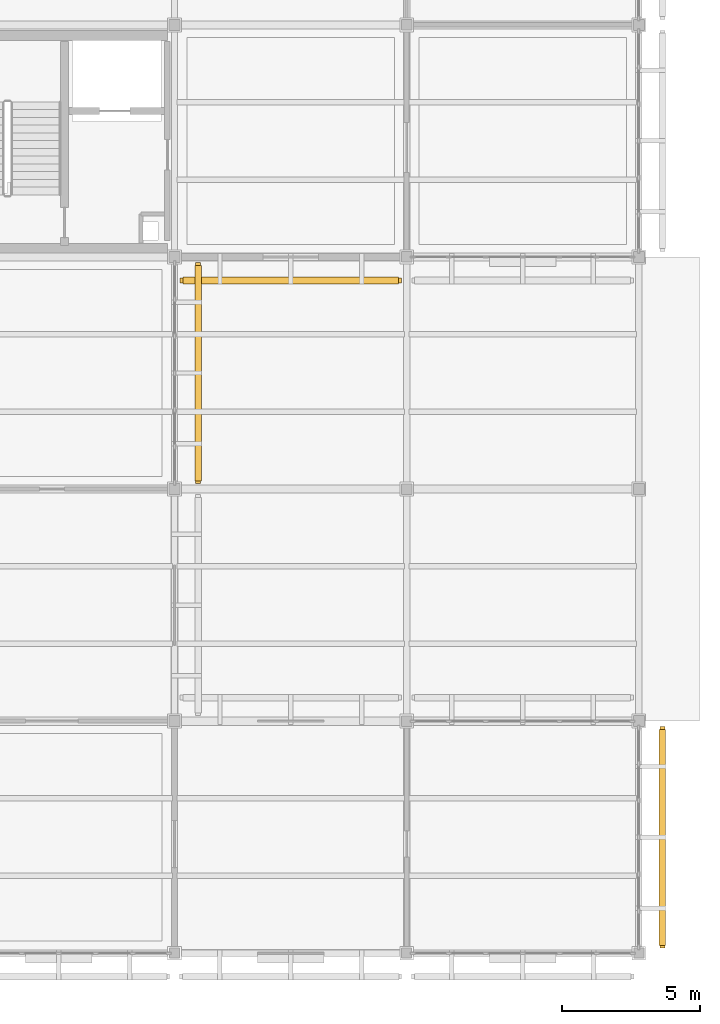
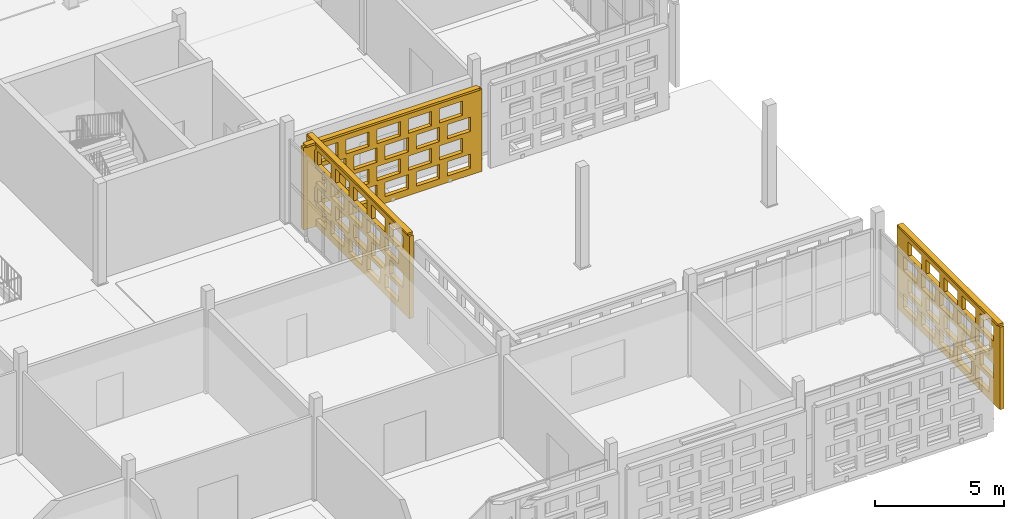
# One storey, part 187 of 203: 3 coverings, 3 shading devices, 60 openings.
"""IFC4 building model written with IfcOpenShell, lengths in metres."""

import ifcopenshell
import ifcopenshell.guid

model = None  # the IFC model being written
_history = None  # IfcOwnerHistory: only IFC2X3 demands one
_inside = {}  # id of a spatial element -> (the spatial element, [elements in it])
_under = {}  # id of a project, library or spatial element -> (it, [spatial elements below it])
_declared = {}  # id of a project -> (the project, [libraries it declares])
_typed = {}  # id of a type object -> (the type object, [elements of that type])
_made_of = {}  # id of a material, layer set ... -> (it, [elements and type objects made of it])


def new_model(schema):
    """Start an empty IFC model of exactly this schema.

    Asked for "IFC4X3", IfcOpenShell would pick the latest addendum, in which some entities
    have other attributes; the version numbers below select the first issue.
    IFC2X3 requires an IfcOwnerHistory on every rooted entity: one is made here for all.
    """
    global model, _history
    if schema == "IFC4X3":
        model = ifcopenshell.file(schema_version=(4, 3, 0, 0))
    else:
        model = ifcopenshell.file(schema=schema)
    _inside.clear()
    _under.clear()
    _declared.clear()
    _typed.clear()
    _made_of.clear()
    _history = None
    if model.schema == "IFC2X3":
        org = make("IfcOrganization", Name="unknown")
        user = make(
            "IfcPersonAndOrganization",
            ThePerson=make("IfcPerson", FamilyName="unknown"),
            TheOrganization=org,
        )
        app = make(
            "IfcApplication",
            ApplicationDeveloper=org,
            Version="unknown",
            ApplicationFullName="unknown",
            ApplicationIdentifier="unknown",
        )
        _history = make(
            "IfcOwnerHistory",
            OwningUser=user,
            OwningApplication=app,
            ChangeAction="ADDED",
            CreationDate=0,
        )
    return model


def make(cls, **values):
    """One entity of the class cls with the attributes given. An attribute that is None is left unset."""
    return model.create_entity(
        cls, **{name: value for name, value in values.items() if value is not None}
    )


def rooted(cls, **values):
    """An entity with a GlobalId (a new one), such as an element, a storey or a relation."""
    return make(cls, GlobalId=ifcopenshell.guid.new(), OwnerHistory=_history, **values)


def si_unit(unit_type, name, prefix=None):
    """IfcSIUnit, for example si_unit("LENGTHUNIT", "METRE", prefix="MILLI")."""
    return make("IfcSIUnit", UnitType=unit_type, Prefix=prefix, Name=name)


def assignment(units):
    """IfcUnitAssignment: the units of a project."""
    return None if units is None else make("IfcUnitAssignment", Units=units)


def point(xyz):
    """IfcCartesianPoint."""
    return None if xyz is None else make("IfcCartesianPoint", Coordinates=xyz)


def direction(xyz):
    """IfcDirection."""
    return None if xyz is None else make("IfcDirection", DirectionRatios=xyz)


def frame(location, z_axis=None, x_axis=None):
    """IfcAxis2Placement3D, a coordinate frame: its origin and axes. An axis left out is left unset."""
    return make(
        "IfcAxis2Placement3D",
        Location=point(location),
        Axis=direction(z_axis),
        RefDirection=direction(x_axis),
    )


def frame_2d(location, x_axis=None):
    """IfcAxis2Placement2D, a coordinate frame in the plane: its origin and x axis."""
    return make(
        "IfcAxis2Placement2D", Location=point(location), RefDirection=direction(x_axis)
    )


def origin():
    """The frame at (0, 0, 0) with its axes left unset."""
    return frame((0.0, 0.0, 0.0))


def origin_2d():
    """The frame at (0, 0) in the plane with its x axis left unset."""
    return frame_2d((0.0, 0.0))


def place(relative_to, where):
    """IfcLocalPlacement: puts the frame where relative to a parent placement (None: the world)."""
    return make(
        "IfcLocalPlacement", PlacementRelTo=relative_to, RelativePlacement=where
    )


def context(
    kind, dimensions, precision=None, world=None, true_north=None, identifier=None
):
    """IfcGeometricRepresentationContext, for example the 3D "Model" context."""
    return make(
        "IfcGeometricRepresentationContext",
        ContextIdentifier=identifier,
        ContextType=kind,
        CoordinateSpaceDimension=dimensions,
        Precision=precision,
        WorldCoordinateSystem=world,
        TrueNorth=true_north,
    )


def subcontext(parent, identifier, kind, view, scale=None):
    """IfcGeometricRepresentationSubContext, for example "Body" below "Model"."""
    return make(
        "IfcGeometricRepresentationSubContext",
        ContextIdentifier=identifier,
        ContextType=kind,
        ParentContext=parent,
        TargetScale=scale,
        TargetView=view,
    )


def project(units=None, contexts=None):
    """IfcProject with its units and contexts."""
    return rooted(
        "IfcProject",
        Name="project",
        RepresentationContexts=contexts,
        UnitsInContext=assignment(units),
    )


def spatial(cls, under=None, at=None, **own):
    """A site, building, storey or space (cls), placed at a placement, below another one or the project."""
    s = rooted(cls, ObjectPlacement=at, **own)
    if under is not None:
        _under.setdefault(under.id(), (under, []))[1].append(s)
    return s


def profile(cls, at=None, kind="AREA", **sizes):
    """A parametric profile (cls). Its sizes go by their IFC names, for example OverallWidth=200.0."""
    return make(cls, ProfileType=kind, Position=at, **sizes)


def rectangle(**sizes):
    """IfcRectangleProfileDef."""
    return profile("IfcRectangleProfileDef", **sizes)


def extrude(swept, where, along, depth):
    """IfcExtrudedAreaSolid: the profile swept, set in the frame where, extruded along a direction by depth."""
    return make(
        "IfcExtrudedAreaSolid",
        SweptArea=swept,
        Position=where,
        ExtrudedDirection=direction(along),
        Depth=depth,
    )


def shape(context_of_items, identifier, shape_type, items):
    """IfcShapeRepresentation: the items that make up one representation, for example the "Body"."""
    return make(
        "IfcShapeRepresentation",
        ContextOfItems=context_of_items,
        RepresentationIdentifier=identifier,
        RepresentationType=shape_type,
        Items=items,
    )


def material(Name=None, Category=None):
    """IfcMaterial."""
    return make("IfcMaterial", Name=Name, Category=Category)


def layer(
    of_material, thickness, ventilated=None, Name=None, Category=None, Priority=None
):
    """IfcMaterialLayer: one layer of a wall or slab, of a material (None: an air gap)."""
    return make(
        "IfcMaterialLayer",
        Material=of_material,
        LayerThickness=thickness,
        IsVentilated=ventilated,
        Name=Name,
        Category=Category,
        Priority=Priority,
    )


def layer_set(layers, Name=None):
    """IfcMaterialLayerSet."""
    return make("IfcMaterialLayerSet", MaterialLayers=layers, LayerSetName=Name)


def made_of(thing, what):
    """Note that an element or type object is made of a material, layer set ...; save() writes the relation."""
    if what is not None:
        _made_of.setdefault(what.id(), (what, []))[1].append(thing)
    return thing


def type_object(cls, material=None, **own):
    """A type object (cls), such as IfcWallType, which elements share."""
    return made_of(rooted(cls, **own), material)


def element(
    cls,
    number,
    at=None,
    inside=None,
    cuts=None,
    type_object=None,
    material=None,
    context=None,
    identifier="Body",
    shape_type=None,
    held_by="IfcProductDefinitionShape",
    body=None,
    shapes=None,
    **own,
):
    """One element of the class cls, such as IfcWall. Its Tag is "e" and its number.

    at: its placement. inside: the storey or other place that contains it. cuts: it is an
    opening in that element (IfcRelVoidsElement). A single representation is given by context,
    identifier, shape_type and body (its items); several are given by shapes. held_by: the class
    of the entity that holds the representations. save() writes the other relations.
    """
    e = rooted(cls, Tag="e%d" % number, ObjectPlacement=at, **own)
    if body is not None:
        shapes = [shape(context, identifier, shape_type, body)]
    if shapes is not None:
        e.Representation = make(held_by, Representations=shapes)
    if inside is not None:
        _inside.setdefault(inside.id(), (inside, []))[1].append(e)
    if cuts is not None:
        rooted(
            "IfcRelVoidsElement", RelatingBuildingElement=cuts, RelatedOpeningElement=e
        )
    if type_object is not None:
        _typed.setdefault(type_object.id(), (type_object, []))[1].append(e)
    return made_of(e, material)


def aggregate(whole, parts):
    """IfcRelAggregates: a whole, such as a stair, and the parts it consists of."""
    return rooted("IfcRelAggregates", RelatingObject=whole, RelatedObjects=parts)


def save(model, path):
    """Write the relations noted so far, then the file.

    IfcRelAggregates (storeys below a building ...), IfcRelContainedInSpatialStructure (elements
    in a storey), IfcRelDefinesByType, IfcRelAssociatesMaterial and IfcRelDeclares: one each for
    every whole, place, type object, material and project.
    """
    for whole, parts in _under.values():
        aggregate(whole, parts)
    for where, things in _inside.values():
        rooted(
            "IfcRelContainedInSpatialStructure",
            RelatedElements=things,
            RelatingStructure=where,
        )
    for kind, things in _typed.values():
        rooted("IfcRelDefinesByType", RelatedObjects=things, RelatingType=kind)
    for what, things in _made_of.values():
        rooted("IfcRelAssociatesMaterial", RelatedObjects=things, RelatingMaterial=what)
    for by, libraries in _declared.values():
        rooted("IfcRelDeclares", RelatingContext=by, RelatedDefinitions=libraries)
    model.write(path)


model = new_model("IFC4")

# Units and contexts
model_context = context("Model", 3, precision=1e-05, world=origin(), true_north=direction((0.0, 1.0)))
body_context = subcontext(model_context, "Body", "Model", "MODEL_VIEW")
ifc_project = project(units=[si_unit("LENGTHUNIT", "METRE"), si_unit("AREAUNIT", "SQUARE_METRE"), si_unit("VOLUMEUNIT", "CUBIC_METRE"), si_unit("PLANEANGLEUNIT", "RADIAN"), si_unit("MASSUNIT", "GRAM", prefix="KILO")], contexts=[model_context])

# Site, building, storey
site_placement = place(None, origin())
site = spatial("IfcSite", under=ifc_project, at=site_placement, CompositionType="ELEMENT")
building_placement = place(site_placement, origin())
building = spatial("IfcBuilding", under=site, at=building_placement, Name="Varnapada Polytechnic", CompositionType="ELEMENT")
storey_placement = place(building_placement, frame((0.0, 0.0, 4.800048828125)))
storey = spatial("IfcBuildingStorey", under=building, at=storey_placement, Name="L01", CompositionType="ELEMENT", Elevation=4.800048828125)

# Covering, openings
ifc_material = material(Name="Earth-toned architectural terracotta screen block", Category="masonry")
ifc_layer_1 = layer(ifc_material, 0.1201171875)
ifc_layer_set_1 = layer_set([ifc_layer_1], Name="Earth-toned architectural terracotta screen block")
covering_type = type_object("IfcCoveringType", Name="Terracotta Screen Cladding CLD-01", PredefinedType="CLADDING", material=ifc_layer_set_1)
covering_1_placement = place(storey_placement, frame((160.449951171875, 25.0, 0.0), z_axis=(0.0, 0.0, 1.0), x_axis=(0.0, -1.0, 0.0)))
covering_1 = element("IfcCovering", 1, at=covering_1_placement, inside=storey, type_object=covering_type, Name="L01 perforated terracotta block screen (126)", PredefinedType="CLADDING", context=body_context, shape_type="SweptSolid", body=[
    extrude(rectangle(XDim=8.0, YDim=0.179931640625, at=frame_2d((4.0, 0.0))), origin(), (0.0, 0.0, 1.0), 3.919921875),
])
opening_1_placement = place(covering_1_placement, frame((0.5, 0.0, 0.313720703125)))
element("IfcOpeningElement", 2, at=opening_1_placement, cuts=covering_1, Name="Screen perforation TBS-L01-125.1", PredefinedType="OPENING", context=body_context, shape_type="SweptSolid", body=[
    extrude(rectangle(XDim=1.0400390625, YDim=0.679931640625, at=frame_2d((0.52001953125, 0.33984375))), frame((0.0, 0.099853515625, 0.0), z_axis=(0.0, -1.0, 0.0), x_axis=(1.0, 0.0, 0.0)), (0.0, 0.0, 1.0), 0.199951171875),
])
opening_2_placement = place(covering_1_placement, frame((1.89990234375, 0.0, 0.313720703125)))
element("IfcOpeningElement", 3, at=opening_2_placement, cuts=covering_1, Name="Screen perforation TBS-L01-125.2", PredefinedType="OPENING", context=body_context, shape_type="SweptSolid", body=[
    extrude(rectangle(XDim=1.0400390625, YDim=0.679931640625, at=frame_2d((0.52001953125, 0.33984375))), frame((0.0, 0.099853515625, 0.0), z_axis=(0.0, -1.0, 0.0), x_axis=(1.0, 0.0, 0.0)), (0.0, 0.0, 1.0), 0.199951171875),
])
opening_3_placement = place(covering_1_placement, frame((3.300048828125, 0.0, 0.313720703125)))
element("IfcOpeningElement", 4, at=opening_3_placement, cuts=covering_1, Name="Screen perforation TBS-L01-125.3", PredefinedType="OPENING", context=body_context, shape_type="SweptSolid", body=[
    extrude(rectangle(XDim=1.0400390625, YDim=0.679931640625, at=frame_2d((0.52001953125, 0.33984375))), frame((0.0, 0.099853515625, 0.0), z_axis=(0.0, -1.0, 0.0), x_axis=(1.0, 0.0, 0.0)), (0.0, 0.0, 1.0), 0.199951171875),
])
opening_4_placement = place(covering_1_placement, frame((4.699951171875, 0.0, 0.313720703125)))
element("IfcOpeningElement", 5, at=opening_4_placement, cuts=covering_1, Name="Screen perforation TBS-L01-125.4", PredefinedType="OPENING", context=body_context, shape_type="SweptSolid", body=[
    extrude(rectangle(XDim=1.0400390625, YDim=0.679931640625, at=frame_2d((0.52001953125, 0.33984375))), frame((0.0, 0.099853515625, 0.0), z_axis=(0.0, -1.0, 0.0), x_axis=(1.0, 0.0, 0.0)), (0.0, 0.0, 1.0), 0.199951171875),
])
opening_5_placement = place(covering_1_placement, frame((6.10009765625, 0.0, 0.313720703125)))
element("IfcOpeningElement", 6, at=opening_5_placement, cuts=covering_1, Name="Screen perforation TBS-L01-125.5", PredefinedType="OPENING", context=body_context, shape_type="SweptSolid", body=[
    extrude(rectangle(XDim=1.0400390625, YDim=0.679931640625, at=frame_2d((0.52001953125, 0.33984375))), frame((0.0, 0.099853515625, 0.0), z_axis=(0.0, -1.0, 0.0), x_axis=(1.0, 0.0, 0.0)), (0.0, 0.0, 1.0), 0.199951171875),
])
opening_6_placement = place(covering_1_placement, frame((0.860107421875, 0.0, 1.195556640625)))
element("IfcOpeningElement", 7, at=opening_6_placement, cuts=covering_1, Name="Screen perforation TBS-L01-125.6", PredefinedType="OPENING", context=body_context, shape_type="SweptSolid", body=[
    extrude(rectangle(XDim=1.0400390625, YDim=0.679931640625, at=frame_2d((0.52001953125, 0.33984375))), frame((0.0, 0.099853515625, 0.0), z_axis=(0.0, -1.0, 0.0), x_axis=(1.0, 0.0, 0.0)), (0.0, 0.0, 1.0), 0.199951171875),
])
opening_7_placement = place(covering_1_placement, frame((2.260009765625, 0.0, 1.195556640625)))
element("IfcOpeningElement", 8, at=opening_7_placement, cuts=covering_1, Name="Screen perforation TBS-L01-125.7", PredefinedType="OPENING", context=body_context, shape_type="SweptSolid", body=[
    extrude(rectangle(XDim=1.0400390625, YDim=0.679931640625, at=frame_2d((0.52001953125, 0.33984375))), frame((0.0, 0.099853515625, 0.0), z_axis=(0.0, -1.0, 0.0), x_axis=(1.0, 0.0, 0.0)), (0.0, 0.0, 1.0), 0.199951171875),
])
opening_8_placement = place(covering_1_placement, frame((3.659912109375, 0.0, 1.195556640625)))
element("IfcOpeningElement", 9, at=opening_8_placement, cuts=covering_1, Name="Screen perforation TBS-L01-125.8", PredefinedType="OPENING", context=body_context, shape_type="SweptSolid", body=[
    extrude(rectangle(XDim=1.0400390625, YDim=0.679931640625, at=frame_2d((0.52001953125, 0.33984375))), frame((0.0, 0.099853515625, 0.0), z_axis=(0.0, -1.0, 0.0), x_axis=(1.0, 0.0, 0.0)), (0.0, 0.0, 1.0), 0.199951171875),
])
opening_9_placement = place(covering_1_placement, frame((5.06005859375, 0.0, 1.195556640625)))
element("IfcOpeningElement", 10, at=opening_9_placement, cuts=covering_1, Name="Screen perforation TBS-L01-125.9", PredefinedType="OPENING", context=body_context, shape_type="SweptSolid", body=[
    extrude(rectangle(XDim=1.0400390625, YDim=0.679931640625, at=frame_2d((0.52001953125, 0.33984375))), frame((0.0, 0.099853515625, 0.0), z_axis=(0.0, -1.0, 0.0), x_axis=(1.0, 0.0, 0.0)), (0.0, 0.0, 1.0), 0.199951171875),
])
opening_10_placement = place(covering_1_placement, frame((6.4599609375, 0.0, 1.195556640625)))
element("IfcOpeningElement", 11, at=opening_10_placement, cuts=covering_1, Name="Screen perforation TBS-L01-125.10", PredefinedType="OPENING", context=body_context, shape_type="SweptSolid", body=[
    extrude(rectangle(XDim=1.0400390625, YDim=0.679931640625, at=frame_2d((0.52001953125, 0.33984375))), frame((0.0, 0.099853515625, 0.0), z_axis=(0.0, -1.0, 0.0), x_axis=(1.0, 0.0, 0.0)), (0.0, 0.0, 1.0), 0.199951171875),
])
opening_11_placement = place(covering_1_placement, frame((0.5, 0.0, 2.07763671875)))
element("IfcOpeningElement", 12, at=opening_11_placement, cuts=covering_1, Name="Screen perforation TBS-L01-125.11", PredefinedType="OPENING", context=body_context, shape_type="SweptSolid", body=[
    extrude(rectangle(XDim=1.0400390625, YDim=0.679931640625, at=frame_2d((0.52001953125, 0.33984375))), frame((0.0, 0.099853515625, 0.0), z_axis=(0.0, -1.0, 0.0), x_axis=(1.0, 0.0, 0.0)), (0.0, 0.0, 1.0), 0.199951171875),
])
opening_12_placement = place(covering_1_placement, frame((1.89990234375, 0.0, 2.07763671875)))
element("IfcOpeningElement", 13, at=opening_12_placement, cuts=covering_1, Name="Screen perforation TBS-L01-125.12", PredefinedType="OPENING", context=body_context, shape_type="SweptSolid", body=[
    extrude(rectangle(XDim=1.0400390625, YDim=0.679931640625, at=frame_2d((0.52001953125, 0.33984375))), frame((0.0, 0.099853515625, 0.0), z_axis=(0.0, -1.0, 0.0), x_axis=(1.0, 0.0, 0.0)), (0.0, 0.0, 1.0), 0.199951171875),
])
opening_13_placement = place(covering_1_placement, frame((3.300048828125, 0.0, 2.07763671875)))
element("IfcOpeningElement", 14, at=opening_13_placement, cuts=covering_1, Name="Screen perforation TBS-L01-125.13", PredefinedType="OPENING", context=body_context, shape_type="SweptSolid", body=[
    extrude(rectangle(XDim=1.0400390625, YDim=0.679931640625, at=frame_2d((0.52001953125, 0.33984375))), frame((0.0, 0.099853515625, 0.0), z_axis=(0.0, -1.0, 0.0), x_axis=(1.0, 0.0, 0.0)), (0.0, 0.0, 1.0), 0.199951171875),
])
opening_14_placement = place(covering_1_placement, frame((4.699951171875, 0.0, 2.07763671875)))
element("IfcOpeningElement", 15, at=opening_14_placement, cuts=covering_1, Name="Screen perforation TBS-L01-125.14", PredefinedType="OPENING", context=body_context, shape_type="SweptSolid", body=[
    extrude(rectangle(XDim=1.0400390625, YDim=0.679931640625, at=frame_2d((0.52001953125, 0.33984375))), frame((0.0, 0.099853515625, 0.0), z_axis=(0.0, -1.0, 0.0), x_axis=(1.0, 0.0, 0.0)), (0.0, 0.0, 1.0), 0.199951171875),
])
opening_15_placement = place(covering_1_placement, frame((6.10009765625, 0.0, 2.07763671875)))
element("IfcOpeningElement", 16, at=opening_15_placement, cuts=covering_1, Name="Screen perforation TBS-L01-125.15", PredefinedType="OPENING", context=body_context, shape_type="SweptSolid", body=[
    extrude(rectangle(XDim=1.0400390625, YDim=0.679931640625, at=frame_2d((0.52001953125, 0.33984375))), frame((0.0, 0.099853515625, 0.0), z_axis=(0.0, -1.0, 0.0), x_axis=(1.0, 0.0, 0.0)), (0.0, 0.0, 1.0), 0.199951171875),
])
opening_16_placement = place(covering_1_placement, frame((0.860107421875, 0.0, 2.959716796875)))
element("IfcOpeningElement", 17, at=opening_16_placement, cuts=covering_1, Name="Screen perforation TBS-L01-125.16", PredefinedType="OPENING", context=body_context, shape_type="SweptSolid", body=[
    extrude(rectangle(XDim=1.0400390625, YDim=0.679931640625, at=frame_2d((0.52001953125, 0.33984375))), frame((0.0, 0.099853515625, 0.0), z_axis=(0.0, -1.0, 0.0), x_axis=(1.0, 0.0, 0.0)), (0.0, 0.0, 1.0), 0.199951171875),
])
opening_17_placement = place(covering_1_placement, frame((2.260009765625, 0.0, 2.959716796875)))
element("IfcOpeningElement", 18, at=opening_17_placement, cuts=covering_1, Name="Screen perforation TBS-L01-125.17", PredefinedType="OPENING", context=body_context, shape_type="SweptSolid", body=[
    extrude(rectangle(XDim=1.0400390625, YDim=0.679931640625, at=frame_2d((0.52001953125, 0.33984375))), frame((0.0, 0.099853515625, 0.0), z_axis=(0.0, -1.0, 0.0), x_axis=(1.0, 0.0, 0.0)), (0.0, 0.0, 1.0), 0.199951171875),
])
opening_18_placement = place(covering_1_placement, frame((3.659912109375, 0.0, 2.959716796875)))
element("IfcOpeningElement", 19, at=opening_18_placement, cuts=covering_1, Name="Screen perforation TBS-L01-125.18", PredefinedType="OPENING", context=body_context, shape_type="SweptSolid", body=[
    extrude(rectangle(XDim=1.0400390625, YDim=0.679931640625, at=frame_2d((0.52001953125, 0.33984375))), frame((0.0, 0.099853515625, 0.0), z_axis=(0.0, -1.0, 0.0), x_axis=(1.0, 0.0, 0.0)), (0.0, 0.0, 1.0), 0.199951171875),
])
opening_19_placement = place(covering_1_placement, frame((5.06005859375, 0.0, 2.959716796875)))
element("IfcOpeningElement", 20, at=opening_19_placement, cuts=covering_1, Name="Screen perforation TBS-L01-125.19", PredefinedType="OPENING", context=body_context, shape_type="SweptSolid", body=[
    extrude(rectangle(XDim=1.0400390625, YDim=0.679931640625, at=frame_2d((0.52001953125, 0.33984375))), frame((0.0, 0.099853515625, 0.0), z_axis=(0.0, -1.0, 0.0), x_axis=(1.0, 0.0, 0.0)), (0.0, 0.0, 1.0), 0.199951171875),
])
opening_20_placement = place(covering_1_placement, frame((6.4599609375, 0.0, 2.959716796875)))
element("IfcOpeningElement", 21, at=opening_20_placement, cuts=covering_1, Name="Screen perforation TBS-L01-125.20", PredefinedType="OPENING", context=body_context, shape_type="SweptSolid", body=[
    extrude(rectangle(XDim=1.0400390625, YDim=0.679931640625, at=frame_2d((0.52001953125, 0.33984375))), frame((0.0, 0.099853515625, 0.0), z_axis=(0.0, -1.0, 0.0), x_axis=(1.0, 0.0, 0.0)), (0.0, 0.0, 1.0), 0.199951171875),
])

covering_2_placement = place(storey_placement, frame((167.81005859375, 24.35009765625, 0.0), z_axis=(0.0, 0.0, 1.0), x_axis=(-1.0, 0.0, 0.0)))
covering_2 = element("IfcCovering", 22, at=covering_2_placement, inside=storey, type_object=covering_type, Name="L01 perforated terracotta block screen (132)", PredefinedType="CLADDING", context=body_context, shape_type="SweptSolid", body=[
    extrude(rectangle(XDim=8.010009765625, YDim=0.179931640625, at=frame_2d((4.0048828125, 0.0))), origin(), (0.0, 0.0, 1.0), 3.909912109375),
])
opening_21_placement = place(covering_2_placement, frame((0.5048828125, 0.0, 0.312744140625)))
element("IfcOpeningElement", 23, at=opening_21_placement, cuts=covering_2, Name="Screen perforation TBS-L01-131.1", PredefinedType="OPENING", context=body_context, shape_type="SweptSolid", body=[
    extrude(rectangle(XDim=1.0400390625, YDim=0.679931640625, at=frame_2d((0.52001953125, 0.33984375))), frame((0.0, 0.099853515625, 0.0), z_axis=(0.0, -1.0, 0.0), x_axis=(1.0, 0.0, 0.0)), (0.0, 0.0, 1.0), 0.199951171875),
])
opening_22_placement = place(covering_2_placement, frame((1.905029296875, 0.0, 0.312744140625)))
element("IfcOpeningElement", 24, at=opening_22_placement, cuts=covering_2, Name="Screen perforation TBS-L01-131.2", PredefinedType="OPENING", context=body_context, shape_type="SweptSolid", body=[
    extrude(rectangle(XDim=1.0400390625, YDim=0.679931640625, at=frame_2d((0.52001953125, 0.33984375))), frame((0.0, 0.099853515625, 0.0), z_axis=(0.0, -1.0, 0.0), x_axis=(1.0, 0.0, 0.0)), (0.0, 0.0, 1.0), 0.199951171875),
])
opening_23_placement = place(covering_2_placement, frame((3.304931640625, 0.0, 0.312744140625)))
element("IfcOpeningElement", 25, at=opening_23_placement, cuts=covering_2, Name="Screen perforation TBS-L01-131.3", PredefinedType="OPENING", context=body_context, shape_type="SweptSolid", body=[
    extrude(rectangle(XDim=1.0400390625, YDim=0.679931640625, at=frame_2d((0.52001953125, 0.33984375))), frame((0.0, 0.099853515625, 0.0), z_axis=(0.0, -1.0, 0.0), x_axis=(1.0, 0.0, 0.0)), (0.0, 0.0, 1.0), 0.199951171875),
])
opening_24_placement = place(covering_2_placement, frame((4.705078125, 0.0, 0.312744140625)))
element("IfcOpeningElement", 26, at=opening_24_placement, cuts=covering_2, Name="Screen perforation TBS-L01-131.4", PredefinedType="OPENING", context=body_context, shape_type="SweptSolid", body=[
    extrude(rectangle(XDim=1.0400390625, YDim=0.679931640625, at=frame_2d((0.52001953125, 0.33984375))), frame((0.0, 0.099853515625, 0.0), z_axis=(0.0, -1.0, 0.0), x_axis=(1.0, 0.0, 0.0)), (0.0, 0.0, 1.0), 0.199951171875),
])
opening_25_placement = place(covering_2_placement, frame((6.10498046875, 0.0, 0.312744140625)))
element("IfcOpeningElement", 27, at=opening_25_placement, cuts=covering_2, Name="Screen perforation TBS-L01-131.5", PredefinedType="OPENING", context=body_context, shape_type="SweptSolid", body=[
    extrude(rectangle(XDim=1.0400390625, YDim=0.679931640625, at=frame_2d((0.52001953125, 0.33984375))), frame((0.0, 0.099853515625, 0.0), z_axis=(0.0, -1.0, 0.0), x_axis=(1.0, 0.0, 0.0)), (0.0, 0.0, 1.0), 0.199951171875),
])
opening_26_placement = place(covering_2_placement, frame((0.864990234375, 0.0, 1.1923828125)))
element("IfcOpeningElement", 28, at=opening_26_placement, cuts=covering_2, Name="Screen perforation TBS-L01-131.6", PredefinedType="OPENING", context=body_context, shape_type="SweptSolid", body=[
    extrude(rectangle(XDim=1.0400390625, YDim=0.679931640625, at=frame_2d((0.52001953125, 0.33984375))), frame((0.0, 0.099853515625, 0.0), z_axis=(0.0, -1.0, 0.0), x_axis=(1.0, 0.0, 0.0)), (0.0, 0.0, 1.0), 0.199951171875),
])
opening_27_placement = place(covering_2_placement, frame((2.264892578125, 0.0, 1.1923828125)))
element("IfcOpeningElement", 29, at=opening_27_placement, cuts=covering_2, Name="Screen perforation TBS-L01-131.7", PredefinedType="OPENING", context=body_context, shape_type="SweptSolid", body=[
    extrude(rectangle(XDim=1.0400390625, YDim=0.679931640625, at=frame_2d((0.52001953125, 0.33984375))), frame((0.0, 0.099853515625, 0.0), z_axis=(0.0, -1.0, 0.0), x_axis=(1.0, 0.0, 0.0)), (0.0, 0.0, 1.0), 0.199951171875),
])
opening_28_placement = place(covering_2_placement, frame((3.6650390625, 0.0, 1.1923828125)))
element("IfcOpeningElement", 30, at=opening_28_placement, cuts=covering_2, Name="Screen perforation TBS-L01-131.8", PredefinedType="OPENING", context=body_context, shape_type="SweptSolid", body=[
    extrude(rectangle(XDim=1.0400390625, YDim=0.679931640625, at=frame_2d((0.52001953125, 0.33984375))), frame((0.0, 0.099853515625, 0.0), z_axis=(0.0, -1.0, 0.0), x_axis=(1.0, 0.0, 0.0)), (0.0, 0.0, 1.0), 0.199951171875),
])
opening_29_placement = place(covering_2_placement, frame((5.06494140625, 0.0, 1.1923828125)))
element("IfcOpeningElement", 31, at=opening_29_placement, cuts=covering_2, Name="Screen perforation TBS-L01-131.9", PredefinedType="OPENING", context=body_context, shape_type="SweptSolid", body=[
    extrude(rectangle(XDim=1.0400390625, YDim=0.679931640625, at=frame_2d((0.52001953125, 0.33984375))), frame((0.0, 0.099853515625, 0.0), z_axis=(0.0, -1.0, 0.0), x_axis=(1.0, 0.0, 0.0)), (0.0, 0.0, 1.0), 0.199951171875),
])
opening_30_placement = place(covering_2_placement, frame((6.465087890625, 0.0, 1.1923828125)))
element("IfcOpeningElement", 32, at=opening_30_placement, cuts=covering_2, Name="Screen perforation TBS-L01-131.10", PredefinedType="OPENING", context=body_context, shape_type="SweptSolid", body=[
    extrude(rectangle(XDim=1.0400390625, YDim=0.679931640625, at=frame_2d((0.52001953125, 0.33984375))), frame((0.0, 0.099853515625, 0.0), z_axis=(0.0, -1.0, 0.0), x_axis=(1.0, 0.0, 0.0)), (0.0, 0.0, 1.0), 0.199951171875),
])
opening_31_placement = place(covering_2_placement, frame((0.5048828125, 0.0, 2.072265625)))
element("IfcOpeningElement", 33, at=opening_31_placement, cuts=covering_2, Name="Screen perforation TBS-L01-131.11", PredefinedType="OPENING", context=body_context, shape_type="SweptSolid", body=[
    extrude(rectangle(XDim=1.0400390625, YDim=0.679931640625, at=frame_2d((0.52001953125, 0.33984375))), frame((0.0, 0.099853515625, 0.0), z_axis=(0.0, -1.0, 0.0), x_axis=(1.0, 0.0, 0.0)), (0.0, 0.0, 1.0), 0.199951171875),
])
opening_32_placement = place(covering_2_placement, frame((1.905029296875, 0.0, 2.072265625)))
element("IfcOpeningElement", 34, at=opening_32_placement, cuts=covering_2, Name="Screen perforation TBS-L01-131.12", PredefinedType="OPENING", context=body_context, shape_type="SweptSolid", body=[
    extrude(rectangle(XDim=1.0400390625, YDim=0.679931640625, at=frame_2d((0.52001953125, 0.33984375))), frame((0.0, 0.099853515625, 0.0), z_axis=(0.0, -1.0, 0.0), x_axis=(1.0, 0.0, 0.0)), (0.0, 0.0, 1.0), 0.199951171875),
])
opening_33_placement = place(covering_2_placement, frame((3.304931640625, 0.0, 2.072265625)))
element("IfcOpeningElement", 35, at=opening_33_placement, cuts=covering_2, Name="Screen perforation TBS-L01-131.13", PredefinedType="OPENING", context=body_context, shape_type="SweptSolid", body=[
    extrude(rectangle(XDim=1.0400390625, YDim=0.679931640625, at=frame_2d((0.52001953125, 0.33984375))), frame((0.0, 0.099853515625, 0.0), z_axis=(0.0, -1.0, 0.0), x_axis=(1.0, 0.0, 0.0)), (0.0, 0.0, 1.0), 0.199951171875),
])
opening_34_placement = place(covering_2_placement, frame((4.705078125, 0.0, 2.072265625)))
element("IfcOpeningElement", 36, at=opening_34_placement, cuts=covering_2, Name="Screen perforation TBS-L01-131.14", PredefinedType="OPENING", context=body_context, shape_type="SweptSolid", body=[
    extrude(rectangle(XDim=1.0400390625, YDim=0.679931640625, at=frame_2d((0.52001953125, 0.33984375))), frame((0.0, 0.099853515625, 0.0), z_axis=(0.0, -1.0, 0.0), x_axis=(1.0, 0.0, 0.0)), (0.0, 0.0, 1.0), 0.199951171875),
])
opening_35_placement = place(covering_2_placement, frame((6.10498046875, 0.0, 2.072265625)))
element("IfcOpeningElement", 37, at=opening_35_placement, cuts=covering_2, Name="Screen perforation TBS-L01-131.15", PredefinedType="OPENING", context=body_context, shape_type="SweptSolid", body=[
    extrude(rectangle(XDim=1.0400390625, YDim=0.679931640625, at=frame_2d((0.52001953125, 0.33984375))), frame((0.0, 0.099853515625, 0.0), z_axis=(0.0, -1.0, 0.0), x_axis=(1.0, 0.0, 0.0)), (0.0, 0.0, 1.0), 0.199951171875),
])
opening_36_placement = place(covering_2_placement, frame((0.864990234375, 0.0, 2.9521484375)))
element("IfcOpeningElement", 38, at=opening_36_placement, cuts=covering_2, Name="Screen perforation TBS-L01-131.16", PredefinedType="OPENING", context=body_context, shape_type="SweptSolid", body=[
    extrude(rectangle(XDim=1.0400390625, YDim=0.679931640625, at=frame_2d((0.52001953125, 0.33984375))), frame((0.0, 0.099853515625, 0.0), z_axis=(0.0, -1.0, 0.0), x_axis=(1.0, 0.0, 0.0)), (0.0, 0.0, 1.0), 0.199951171875),
])
opening_37_placement = place(covering_2_placement, frame((2.264892578125, 0.0, 2.9521484375)))
element("IfcOpeningElement", 39, at=opening_37_placement, cuts=covering_2, Name="Screen perforation TBS-L01-131.17", PredefinedType="OPENING", context=body_context, shape_type="SweptSolid", body=[
    extrude(rectangle(XDim=1.0400390625, YDim=0.679931640625, at=frame_2d((0.52001953125, 0.33984375))), frame((0.0, 0.099853515625, 0.0), z_axis=(0.0, -1.0, 0.0), x_axis=(1.0, 0.0, 0.0)), (0.0, 0.0, 1.0), 0.199951171875),
])
opening_38_placement = place(covering_2_placement, frame((3.6650390625, 0.0, 2.9521484375)))
element("IfcOpeningElement", 40, at=opening_38_placement, cuts=covering_2, Name="Screen perforation TBS-L01-131.18", PredefinedType="OPENING", context=body_context, shape_type="SweptSolid", body=[
    extrude(rectangle(XDim=1.0400390625, YDim=0.679931640625, at=frame_2d((0.52001953125, 0.33984375))), frame((0.0, 0.099853515625, 0.0), z_axis=(0.0, -1.0, 0.0), x_axis=(1.0, 0.0, 0.0)), (0.0, 0.0, 1.0), 0.199951171875),
])
opening_39_placement = place(covering_2_placement, frame((5.06494140625, 0.0, 2.9521484375)))
element("IfcOpeningElement", 41, at=opening_39_placement, cuts=covering_2, Name="Screen perforation TBS-L01-131.19", PredefinedType="OPENING", context=body_context, shape_type="SweptSolid", body=[
    extrude(rectangle(XDim=1.0400390625, YDim=0.679931640625, at=frame_2d((0.52001953125, 0.33984375))), frame((0.0, 0.099853515625, 0.0), z_axis=(0.0, -1.0, 0.0), x_axis=(1.0, 0.0, 0.0)), (0.0, 0.0, 1.0), 0.199951171875),
])
opening_40_placement = place(covering_2_placement, frame((6.465087890625, 0.0, 2.9521484375)))
element("IfcOpeningElement", 42, at=opening_40_placement, cuts=covering_2, Name="Screen perforation TBS-L01-131.20", PredefinedType="OPENING", context=body_context, shape_type="SweptSolid", body=[
    extrude(rectangle(XDim=1.0400390625, YDim=0.679931640625, at=frame_2d((0.52001953125, 0.33984375))), frame((0.0, 0.099853515625, 0.0), z_axis=(0.0, -1.0, 0.0), x_axis=(1.0, 0.0, 0.0)), (0.0, 0.0, 1.0), 0.199951171875),
])

covering_3_placement = place(storey_placement, frame((177.25, 8.199951171875, 0.0), z_axis=(0.0, 0.0, 1.0), x_axis=(0.0, -1.0, 0.0)))
covering_3 = element("IfcCovering", 43, at=covering_3_placement, inside=storey, type_object=covering_type, Name="L01 perforated terracotta block screen (138)", PredefinedType="CLADDING", context=body_context, shape_type="SweptSolid", body=[
    extrude(rectangle(XDim=8.02001953125, YDim=0.179931640625, at=frame_2d((4.010009765625, 0.0))), origin(), (0.0, 0.0, 1.0), 3.919921875),
])
opening_41_placement = place(covering_3_placement, frame((0.510009765625, 0.0, 0.313720703125)))
element("IfcOpeningElement", 44, at=opening_41_placement, cuts=covering_3, Name="Screen perforation TBS-L01-137.1", PredefinedType="OPENING", context=body_context, shape_type="SweptSolid", body=[
    extrude(rectangle(XDim=1.0400390625, YDim=0.679931640625, at=frame_2d((0.52001953125, 0.33984375))), frame((0.0, 0.099853515625, 0.0), z_axis=(0.0, -1.0, 0.0), x_axis=(1.0, 0.0, 0.0)), (0.0, 0.0, 1.0), 0.199951171875),
])
opening_42_placement = place(covering_3_placement, frame((1.909912109375, 0.0, 0.313720703125)))
element("IfcOpeningElement", 45, at=opening_42_placement, cuts=covering_3, Name="Screen perforation TBS-L01-137.2", PredefinedType="OPENING", context=body_context, shape_type="SweptSolid", body=[
    extrude(rectangle(XDim=1.0400390625, YDim=0.679931640625, at=frame_2d((0.52001953125, 0.33984375))), frame((0.0, 0.099853515625, 0.0), z_axis=(0.0, -1.0, 0.0), x_axis=(1.0, 0.0, 0.0)), (0.0, 0.0, 1.0), 0.199951171875),
])
opening_43_placement = place(covering_3_placement, frame((3.31005859375, 0.0, 0.313720703125)))
element("IfcOpeningElement", 46, at=opening_43_placement, cuts=covering_3, Name="Screen perforation TBS-L01-137.3", PredefinedType="OPENING", context=body_context, shape_type="SweptSolid", body=[
    extrude(rectangle(XDim=1.0400390625, YDim=0.679931640625, at=frame_2d((0.52001953125, 0.33984375))), frame((0.0, 0.099853515625, 0.0), z_axis=(0.0, -1.0, 0.0), x_axis=(1.0, 0.0, 0.0)), (0.0, 0.0, 1.0), 0.199951171875),
])
opening_44_placement = place(covering_3_placement, frame((4.7099609375, 0.0, 0.313720703125)))
element("IfcOpeningElement", 47, at=opening_44_placement, cuts=covering_3, Name="Screen perforation TBS-L01-137.4", PredefinedType="OPENING", context=body_context, shape_type="SweptSolid", body=[
    extrude(rectangle(XDim=1.0400390625, YDim=0.679931640625, at=frame_2d((0.52001953125, 0.33984375))), frame((0.0, 0.099853515625, 0.0), z_axis=(0.0, -1.0, 0.0), x_axis=(1.0, 0.0, 0.0)), (0.0, 0.0, 1.0), 0.199951171875),
])
opening_45_placement = place(covering_3_placement, frame((6.110107421875, 0.0, 0.313720703125)))
element("IfcOpeningElement", 48, at=opening_45_placement, cuts=covering_3, Name="Screen perforation TBS-L01-137.5", PredefinedType="OPENING", context=body_context, shape_type="SweptSolid", body=[
    extrude(rectangle(XDim=1.0400390625, YDim=0.679931640625, at=frame_2d((0.52001953125, 0.33984375))), frame((0.0, 0.099853515625, 0.0), z_axis=(0.0, -1.0, 0.0), x_axis=(1.0, 0.0, 0.0)), (0.0, 0.0, 1.0), 0.199951171875),
])
opening_46_placement = place(covering_3_placement, frame((0.8701171875, 0.0, 1.195556640625)))
element("IfcOpeningElement", 49, at=opening_46_placement, cuts=covering_3, Name="Screen perforation TBS-L01-137.6", PredefinedType="OPENING", context=body_context, shape_type="SweptSolid", body=[
    extrude(rectangle(XDim=1.0400390625, YDim=0.679931640625, at=frame_2d((0.52001953125, 0.33984375))), frame((0.0, 0.099853515625, 0.0), z_axis=(0.0, -1.0, 0.0), x_axis=(1.0, 0.0, 0.0)), (0.0, 0.0, 1.0), 0.199951171875),
])
opening_47_placement = place(covering_3_placement, frame((2.27001953125, 0.0, 1.195556640625)))
element("IfcOpeningElement", 50, at=opening_47_placement, cuts=covering_3, Name="Screen perforation TBS-L01-137.7", PredefinedType="OPENING", context=body_context, shape_type="SweptSolid", body=[
    extrude(rectangle(XDim=1.0400390625, YDim=0.679931640625, at=frame_2d((0.52001953125, 0.33984375))), frame((0.0, 0.099853515625, 0.0), z_axis=(0.0, -1.0, 0.0), x_axis=(1.0, 0.0, 0.0)), (0.0, 0.0, 1.0), 0.199951171875),
])
opening_48_placement = place(covering_3_placement, frame((3.669921875, 0.0, 1.195556640625)))
element("IfcOpeningElement", 51, at=opening_48_placement, cuts=covering_3, Name="Screen perforation TBS-L01-137.8", PredefinedType="OPENING", context=body_context, shape_type="SweptSolid", body=[
    extrude(rectangle(XDim=1.0400390625, YDim=0.679931640625, at=frame_2d((0.52001953125, 0.33984375))), frame((0.0, 0.099853515625, 0.0), z_axis=(0.0, -1.0, 0.0), x_axis=(1.0, 0.0, 0.0)), (0.0, 0.0, 1.0), 0.199951171875),
])
opening_49_placement = place(covering_3_placement, frame((5.070068359375, 0.0, 1.195556640625)))
element("IfcOpeningElement", 52, at=opening_49_placement, cuts=covering_3, Name="Screen perforation TBS-L01-137.9", PredefinedType="OPENING", context=body_context, shape_type="SweptSolid", body=[
    extrude(rectangle(XDim=1.0400390625, YDim=0.679931640625, at=frame_2d((0.52001953125, 0.33984375))), frame((0.0, 0.099853515625, 0.0), z_axis=(0.0, -1.0, 0.0), x_axis=(1.0, 0.0, 0.0)), (0.0, 0.0, 1.0), 0.199951171875),
])
opening_50_placement = place(covering_3_placement, frame((6.469970703125, 0.0, 1.195556640625)))
element("IfcOpeningElement", 53, at=opening_50_placement, cuts=covering_3, Name="Screen perforation TBS-L01-137.10", PredefinedType="OPENING", context=body_context, shape_type="SweptSolid", body=[
    extrude(rectangle(XDim=1.0400390625, YDim=0.679931640625, at=frame_2d((0.52001953125, 0.33984375))), frame((0.0, 0.099853515625, 0.0), z_axis=(0.0, -1.0, 0.0), x_axis=(1.0, 0.0, 0.0)), (0.0, 0.0, 1.0), 0.199951171875),
])
opening_51_placement = place(covering_3_placement, frame((0.510009765625, 0.0, 2.07763671875)))
element("IfcOpeningElement", 54, at=opening_51_placement, cuts=covering_3, Name="Screen perforation TBS-L01-137.11", PredefinedType="OPENING", context=body_context, shape_type="SweptSolid", body=[
    extrude(rectangle(XDim=1.0400390625, YDim=0.679931640625, at=frame_2d((0.52001953125, 0.33984375))), frame((0.0, 0.099853515625, 0.0), z_axis=(0.0, -1.0, 0.0), x_axis=(1.0, 0.0, 0.0)), (0.0, 0.0, 1.0), 0.199951171875),
])
opening_52_placement = place(covering_3_placement, frame((1.909912109375, 0.0, 2.07763671875)))
element("IfcOpeningElement", 55, at=opening_52_placement, cuts=covering_3, Name="Screen perforation TBS-L01-137.12", PredefinedType="OPENING", context=body_context, shape_type="SweptSolid", body=[
    extrude(rectangle(XDim=1.0400390625, YDim=0.679931640625, at=frame_2d((0.52001953125, 0.33984375))), frame((0.0, 0.099853515625, 0.0), z_axis=(0.0, -1.0, 0.0), x_axis=(1.0, 0.0, 0.0)), (0.0, 0.0, 1.0), 0.199951171875),
])
opening_53_placement = place(covering_3_placement, frame((3.31005859375, 0.0, 2.07763671875)))
element("IfcOpeningElement", 56, at=opening_53_placement, cuts=covering_3, Name="Screen perforation TBS-L01-137.13", PredefinedType="OPENING", context=body_context, shape_type="SweptSolid", body=[
    extrude(rectangle(XDim=1.0400390625, YDim=0.679931640625, at=frame_2d((0.52001953125, 0.33984375))), frame((0.0, 0.099853515625, 0.0), z_axis=(0.0, -1.0, 0.0), x_axis=(1.0, 0.0, 0.0)), (0.0, 0.0, 1.0), 0.199951171875),
])
opening_54_placement = place(covering_3_placement, frame((4.7099609375, 0.0, 2.07763671875)))
element("IfcOpeningElement", 57, at=opening_54_placement, cuts=covering_3, Name="Screen perforation TBS-L01-137.14", PredefinedType="OPENING", context=body_context, shape_type="SweptSolid", body=[
    extrude(rectangle(XDim=1.0400390625, YDim=0.679931640625, at=frame_2d((0.52001953125, 0.33984375))), frame((0.0, 0.099853515625, 0.0), z_axis=(0.0, -1.0, 0.0), x_axis=(1.0, 0.0, 0.0)), (0.0, 0.0, 1.0), 0.199951171875),
])
opening_55_placement = place(covering_3_placement, frame((6.110107421875, 0.0, 2.07763671875)))
element("IfcOpeningElement", 58, at=opening_55_placement, cuts=covering_3, Name="Screen perforation TBS-L01-137.15", PredefinedType="OPENING", context=body_context, shape_type="SweptSolid", body=[
    extrude(rectangle(XDim=1.0400390625, YDim=0.679931640625, at=frame_2d((0.52001953125, 0.33984375))), frame((0.0, 0.099853515625, 0.0), z_axis=(0.0, -1.0, 0.0), x_axis=(1.0, 0.0, 0.0)), (0.0, 0.0, 1.0), 0.199951171875),
])
opening_56_placement = place(covering_3_placement, frame((0.8701171875, 0.0, 2.959716796875)))
element("IfcOpeningElement", 59, at=opening_56_placement, cuts=covering_3, Name="Screen perforation TBS-L01-137.16", PredefinedType="OPENING", context=body_context, shape_type="SweptSolid", body=[
    extrude(rectangle(XDim=1.0400390625, YDim=0.679931640625, at=frame_2d((0.52001953125, 0.33984375))), frame((0.0, 0.099853515625, 0.0), z_axis=(0.0, -1.0, 0.0), x_axis=(1.0, 0.0, 0.0)), (0.0, 0.0, 1.0), 0.199951171875),
])
opening_57_placement = place(covering_3_placement, frame((2.27001953125, 0.0, 2.959716796875)))
element("IfcOpeningElement", 60, at=opening_57_placement, cuts=covering_3, Name="Screen perforation TBS-L01-137.17", PredefinedType="OPENING", context=body_context, shape_type="SweptSolid", body=[
    extrude(rectangle(XDim=1.0400390625, YDim=0.679931640625, at=frame_2d((0.52001953125, 0.33984375))), frame((0.0, 0.099853515625, 0.0), z_axis=(0.0, -1.0, 0.0), x_axis=(1.0, 0.0, 0.0)), (0.0, 0.0, 1.0), 0.199951171875),
])
opening_58_placement = place(covering_3_placement, frame((3.669921875, 0.0, 2.959716796875)))
element("IfcOpeningElement", 61, at=opening_58_placement, cuts=covering_3, Name="Screen perforation TBS-L01-137.18", PredefinedType="OPENING", context=body_context, shape_type="SweptSolid", body=[
    extrude(rectangle(XDim=1.0400390625, YDim=0.679931640625, at=frame_2d((0.52001953125, 0.33984375))), frame((0.0, 0.099853515625, 0.0), z_axis=(0.0, -1.0, 0.0), x_axis=(1.0, 0.0, 0.0)), (0.0, 0.0, 1.0), 0.199951171875),
])
opening_59_placement = place(covering_3_placement, frame((5.070068359375, 0.0, 2.959716796875)))
element("IfcOpeningElement", 62, at=opening_59_placement, cuts=covering_3, Name="Screen perforation TBS-L01-137.19", PredefinedType="OPENING", context=body_context, shape_type="SweptSolid", body=[
    extrude(rectangle(XDim=1.0400390625, YDim=0.679931640625, at=frame_2d((0.52001953125, 0.33984375))), frame((0.0, 0.099853515625, 0.0), z_axis=(0.0, -1.0, 0.0), x_axis=(1.0, 0.0, 0.0)), (0.0, 0.0, 1.0), 0.199951171875),
])
opening_60_placement = place(covering_3_placement, frame((6.469970703125, 0.0, 2.959716796875)))
element("IfcOpeningElement", 63, at=opening_60_placement, cuts=covering_3, Name="Screen perforation TBS-L01-137.20", PredefinedType="OPENING", context=body_context, shape_type="SweptSolid", body=[
    extrude(rectangle(XDim=1.0400390625, YDim=0.679931640625, at=frame_2d((0.52001953125, 0.33984375))), frame((0.0, 0.099853515625, 0.0), z_axis=(0.0, -1.0, 0.0), x_axis=(1.0, 0.0, 0.0)), (0.0, 0.0, 1.0), 0.199951171875),
])

# Shading devices
ifc_layer_2 = layer(ifc_material, 0.179931640625)
ifc_layer_set_2 = layer_set([ifc_layer_2], Name="Earth-toned architectural terracotta screen block")
shading_device_type = type_object("IfcShadingDeviceType", Name="Terracotta Screen SCR-02", PredefinedType="USERDEFINED", material=ifc_layer_set_2)
shading_device_1_placement = place(storey_placement, frame((160.449951171875, 21.0, 3.909912109375), z_axis=(0.0, 0.0, 1.0), x_axis=(0.0, -1.0, 0.0)))
element("IfcShadingDevice", 64, at=shading_device_1_placement, inside=storey, type_object=shading_device_type, Name="L01 perforated terracotta screen hood 204", ObjectType="SCREEN", PredefinedType="USERDEFINED", context=body_context, shape_type="SweptSolid", body=[
    extrude(rectangle(XDim=7.800048828125, YDim=0.239990234375, at=origin_2d()), origin(), (0.0, 0.0, 1.0), 0.10009765625),
])
shading_device_2_placement = place(storey_placement, frame((163.804931640625, 24.35009765625, 3.89990234375), z_axis=(0.0, 0.0, 1.0), x_axis=(-1.0, 0.0, 0.0)))
element("IfcShadingDevice", 65, at=shading_device_2_placement, inside=storey, type_object=shading_device_type, Name="L01 perforated terracotta screen hood 210", ObjectType="SCREEN", PredefinedType="USERDEFINED", context=body_context, shape_type="SweptSolid", body=[
    extrude(rectangle(XDim=7.81005859375, YDim=0.239990234375, at=origin_2d()), origin(), (0.0, 0.0, 1.0), 0.10009765625),
])
shading_device_3_placement = place(storey_placement, frame((177.25, 4.18994140625, 3.909912109375), z_axis=(0.0, 0.0, 1.0), x_axis=(0.0, -1.0, 0.0)))
element("IfcShadingDevice", 66, at=shading_device_3_placement, inside=storey, type_object=shading_device_type, Name="L01 perforated terracotta screen hood 216", ObjectType="SCREEN", PredefinedType="USERDEFINED", context=body_context, shape_type="SweptSolid", body=[
    extrude(rectangle(XDim=7.820068359375, YDim=0.239990234375, at=origin_2d()), origin(), (0.0, 0.0, 1.0), 0.10009765625),
])

save(model, "model.ifc")
